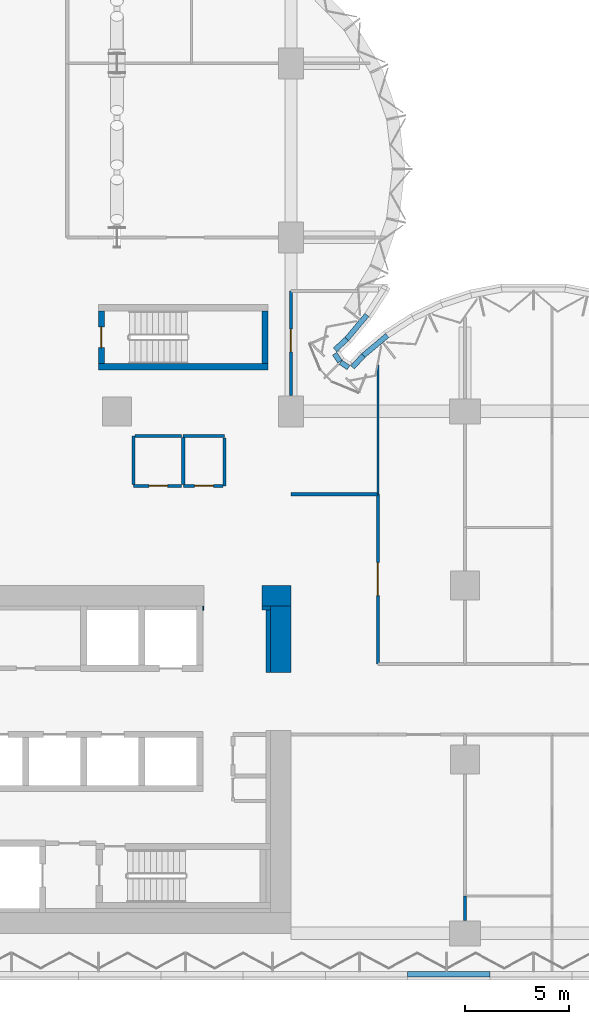
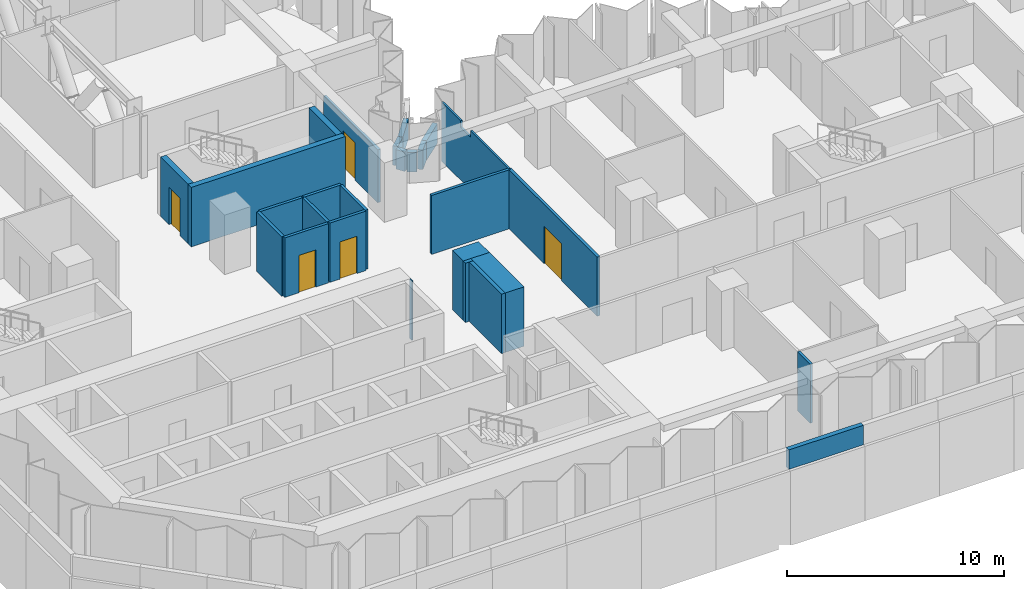
# One storey, part 11 of 24: 27 walls, 5 doors, 5 openings.
"""IFC4 building model written with IfcOpenShell, lengths in metres."""

import ifcopenshell
import ifcopenshell.guid

model = None  # the IFC model being written
_history = None  # IfcOwnerHistory: only IFC2X3 demands one
_inside = {}  # id of a spatial element -> (the spatial element, [elements in it])
_under = {}  # id of a project, library or spatial element -> (it, [spatial elements below it])
_declared = {}  # id of a project -> (the project, [libraries it declares])
_typed = {}  # id of a type object -> (the type object, [elements of that type])
_made_of = {}  # id of a material, layer set ... -> (it, [elements and type objects made of it])


def new_model(schema):
    """Start an empty IFC model of exactly this schema.

    Asked for "IFC4X3", IfcOpenShell would pick the latest addendum, in which some entities
    have other attributes; the version numbers below select the first issue.
    IFC2X3 requires an IfcOwnerHistory on every rooted entity: one is made here for all.
    """
    global model, _history
    if schema == "IFC4X3":
        model = ifcopenshell.file(schema_version=(4, 3, 0, 0))
    else:
        model = ifcopenshell.file(schema=schema)
    _inside.clear()
    _under.clear()
    _declared.clear()
    _typed.clear()
    _made_of.clear()
    _history = None
    if model.schema == "IFC2X3":
        org = make("IfcOrganization", Name="unknown")
        user = make(
            "IfcPersonAndOrganization",
            ThePerson=make("IfcPerson", FamilyName="unknown"),
            TheOrganization=org,
        )
        app = make(
            "IfcApplication",
            ApplicationDeveloper=org,
            Version="unknown",
            ApplicationFullName="unknown",
            ApplicationIdentifier="unknown",
        )
        _history = make(
            "IfcOwnerHistory",
            OwningUser=user,
            OwningApplication=app,
            ChangeAction="ADDED",
            CreationDate=0,
        )
    return model


def make(cls, **values):
    """One entity of the class cls with the attributes given. An attribute that is None is left unset."""
    return model.create_entity(
        cls, **{name: value for name, value in values.items() if value is not None}
    )


def rooted(cls, **values):
    """An entity with a GlobalId (a new one), such as an element, a storey or a relation."""
    return make(cls, GlobalId=ifcopenshell.guid.new(), OwnerHistory=_history, **values)


def si_unit(unit_type, name, prefix=None):
    """IfcSIUnit, for example si_unit("LENGTHUNIT", "METRE", prefix="MILLI")."""
    return make("IfcSIUnit", UnitType=unit_type, Prefix=prefix, Name=name)


def assignment(units):
    """IfcUnitAssignment: the units of a project."""
    return None if units is None else make("IfcUnitAssignment", Units=units)


def point(xyz):
    """IfcCartesianPoint."""
    return None if xyz is None else make("IfcCartesianPoint", Coordinates=xyz)


def direction(xyz):
    """IfcDirection."""
    return None if xyz is None else make("IfcDirection", DirectionRatios=xyz)


def frame(location, z_axis=None, x_axis=None):
    """IfcAxis2Placement3D, a coordinate frame: its origin and axes. An axis left out is left unset."""
    return make(
        "IfcAxis2Placement3D",
        Location=point(location),
        Axis=direction(z_axis),
        RefDirection=direction(x_axis),
    )


def frame_2d(location, x_axis=None):
    """IfcAxis2Placement2D, a coordinate frame in the plane: its origin and x axis."""
    return make(
        "IfcAxis2Placement2D", Location=point(location), RefDirection=direction(x_axis)
    )


def origin():
    """The frame at (0, 0, 0) with its axes left unset."""
    return frame((0.0, 0.0, 0.0))


def place(relative_to, where):
    """IfcLocalPlacement: puts the frame where relative to a parent placement (None: the world)."""
    return make(
        "IfcLocalPlacement", PlacementRelTo=relative_to, RelativePlacement=where
    )


def context(
    kind, dimensions, precision=None, world=None, true_north=None, identifier=None
):
    """IfcGeometricRepresentationContext, for example the 3D "Model" context."""
    return make(
        "IfcGeometricRepresentationContext",
        ContextIdentifier=identifier,
        ContextType=kind,
        CoordinateSpaceDimension=dimensions,
        Precision=precision,
        WorldCoordinateSystem=world,
        TrueNorth=true_north,
    )


def subcontext(parent, identifier, kind, view, scale=None):
    """IfcGeometricRepresentationSubContext, for example "Body" below "Model"."""
    return make(
        "IfcGeometricRepresentationSubContext",
        ContextIdentifier=identifier,
        ContextType=kind,
        ParentContext=parent,
        TargetScale=scale,
        TargetView=view,
    )


def project(units=None, contexts=None):
    """IfcProject with its units and contexts."""
    return rooted(
        "IfcProject",
        Name="project",
        RepresentationContexts=contexts,
        UnitsInContext=assignment(units),
    )


def spatial(cls, under=None, at=None, **own):
    """A site, building, storey or space (cls), placed at a placement, below another one or the project."""
    s = rooted(cls, ObjectPlacement=at, **own)
    if under is not None:
        _under.setdefault(under.id(), (under, []))[1].append(s)
    return s


def polyline(points):
    """IfcPolyline through the points."""
    return make("IfcPolyline", Points=[point(p) for p in points])


def profile(cls, at=None, kind="AREA", **sizes):
    """A parametric profile (cls). Its sizes go by their IFC names, for example OverallWidth=200.0."""
    return make(cls, ProfileType=kind, Position=at, **sizes)


def rectangle(**sizes):
    """IfcRectangleProfileDef."""
    return profile("IfcRectangleProfileDef", **sizes)


def outline(outer, holes=None, kind="AREA"):
    """IfcArbitraryClosedProfileDef: a profile drawn as a closed curve; with holes, ...WithVoids."""
    if holes is None:
        return make("IfcArbitraryClosedProfileDef", ProfileType=kind, OuterCurve=outer)
    return make(
        "IfcArbitraryProfileDefWithVoids",
        ProfileType=kind,
        OuterCurve=outer,
        InnerCurves=holes,
    )


def extrude(swept, where, along, depth):
    """IfcExtrudedAreaSolid: the profile swept, set in the frame where, extruded along a direction by depth."""
    return make(
        "IfcExtrudedAreaSolid",
        SweptArea=swept,
        Position=where,
        ExtrudedDirection=direction(along),
        Depth=depth,
    )


def shape(context_of_items, identifier, shape_type, items):
    """IfcShapeRepresentation: the items that make up one representation, for example the "Body"."""
    return make(
        "IfcShapeRepresentation",
        ContextOfItems=context_of_items,
        RepresentationIdentifier=identifier,
        RepresentationType=shape_type,
        Items=items,
    )


def material(Name=None, Category=None):
    """IfcMaterial."""
    return make("IfcMaterial", Name=Name, Category=Category)


def layer(
    of_material, thickness, ventilated=None, Name=None, Category=None, Priority=None
):
    """IfcMaterialLayer: one layer of a wall or slab, of a material (None: an air gap)."""
    return make(
        "IfcMaterialLayer",
        Material=of_material,
        LayerThickness=thickness,
        IsVentilated=ventilated,
        Name=Name,
        Category=Category,
        Priority=Priority,
    )


def layer_set(layers, Name=None):
    """IfcMaterialLayerSet."""
    return make("IfcMaterialLayerSet", MaterialLayers=layers, LayerSetName=Name)


def made_of(thing, what):
    """Note that an element or type object is made of a material, layer set ...; save() writes the relation."""
    if what is not None:
        _made_of.setdefault(what.id(), (what, []))[1].append(thing)
    return thing


def type_object(cls, material=None, **own):
    """A type object (cls), such as IfcWallType, which elements share."""
    return made_of(rooted(cls, **own), material)


def element(
    cls,
    number,
    at=None,
    inside=None,
    cuts=None,
    type_object=None,
    material=None,
    context=None,
    identifier="Body",
    shape_type=None,
    held_by="IfcProductDefinitionShape",
    body=None,
    shapes=None,
    **own,
):
    """One element of the class cls, such as IfcWall. Its Tag is "e" and its number.

    at: its placement. inside: the storey or other place that contains it. cuts: it is an
    opening in that element (IfcRelVoidsElement). A single representation is given by context,
    identifier, shape_type and body (its items); several are given by shapes. held_by: the class
    of the entity that holds the representations. save() writes the other relations.
    """
    e = rooted(cls, Tag="e%d" % number, ObjectPlacement=at, **own)
    if body is not None:
        shapes = [shape(context, identifier, shape_type, body)]
    if shapes is not None:
        e.Representation = make(held_by, Representations=shapes)
    if inside is not None:
        _inside.setdefault(inside.id(), (inside, []))[1].append(e)
    if cuts is not None:
        rooted(
            "IfcRelVoidsElement", RelatingBuildingElement=cuts, RelatedOpeningElement=e
        )
    if type_object is not None:
        _typed.setdefault(type_object.id(), (type_object, []))[1].append(e)
    return made_of(e, material)


def fill(opening, filler):
    """IfcRelFillsElement: the door or window that sits in an opening."""
    return rooted(
        "IfcRelFillsElement",
        RelatingOpeningElement=opening,
        RelatedBuildingElement=filler,
    )


def aggregate(whole, parts):
    """IfcRelAggregates: a whole, such as a stair, and the parts it consists of."""
    return rooted("IfcRelAggregates", RelatingObject=whole, RelatedObjects=parts)


def save(model, path):
    """Write the relations noted so far, then the file.

    IfcRelAggregates (storeys below a building ...), IfcRelContainedInSpatialStructure (elements
    in a storey), IfcRelDefinesByType, IfcRelAssociatesMaterial and IfcRelDeclares: one each for
    every whole, place, type object, material and project.
    """
    for whole, parts in _under.values():
        aggregate(whole, parts)
    for where, things in _inside.values():
        rooted(
            "IfcRelContainedInSpatialStructure",
            RelatedElements=things,
            RelatingStructure=where,
        )
    for kind, things in _typed.values():
        rooted("IfcRelDefinesByType", RelatedObjects=things, RelatingType=kind)
    for what, things in _made_of.values():
        rooted("IfcRelAssociatesMaterial", RelatedObjects=things, RelatingMaterial=what)
    for by, libraries in _declared.values():
        rooted("IfcRelDeclares", RelatingContext=by, RelatedDefinitions=libraries)
    model.write(path)


model = new_model("IFC4")

# Units and contexts
model_context = context("Model", 3, precision=1e-05, world=origin(), true_north=direction((0.0, 1.0)))
body_context = subcontext(model_context, "Body", "Model", "MODEL_VIEW")
ifc_project = project(units=[si_unit("LENGTHUNIT", "METRE"), si_unit("AREAUNIT", "SQUARE_METRE"), si_unit("VOLUMEUNIT", "CUBIC_METRE"), si_unit("PLANEANGLEUNIT", "RADIAN"), si_unit("MASSUNIT", "GRAM", prefix="KILO")], contexts=[model_context])

# Site, building, storey
site_placement = place(None, origin())
site = spatial("IfcSite", under=ifc_project, at=site_placement, CompositionType="ELEMENT")
building_placement = place(site_placement, origin())
building = spatial("IfcBuilding", under=site, at=building_placement, Name="Brevane Broadcast Tower", CompositionType="ELEMENT")
storey_placement = place(building_placement, frame((0.0, 0.0, 36.5)))
storey = spatial("IfcBuildingStorey", under=building, at=storey_placement, Name="L06", CompositionType="ELEMENT", Elevation=36.5)

# Walls
ifc_material_1 = material(Name="Concrete C50/60", Category="concrete")
ifc_layer_1 = layer(ifc_material_1, 0.25)
ifc_layer_set_1 = layer_set([ifc_layer_1], Name="CORNICE PARAPET 1100")
wall_type_1 = type_object("IfcWallType", Name="CORNICE PARAPET 1100", PredefinedType="PARAPET", material=ifc_layer_set_1)
wall_1_placement = place(storey_placement, frame((28.864013671875, 29.85009765625, 0.0), z_axis=(0.0, 0.0, 1.0), x_axis=(-0.642981897558, -0.765881374244, 0.0)))
element("IfcWall", 1, at=wall_1_placement, inside=storey, type_object=wall_type_1, Name="Cornice parapet", PredefinedType="PARAPET", context=body_context, shape_type="SweptSolid", body=[
    extrude(rectangle(XDim=1.525634765625, YDim=0.25, at=frame_2d((0.7626953125, 0.0))), origin(), (0.0, 0.0, 1.0), 1.10009765625),
])
wall_2_placement = place(storey_placement, frame((27.89404296875, 28.693115234375, 0.0), z_axis=(0.0, 0.0, 1.0), x_axis=(-0.734682907752, -0.678410661073, 0.0)))
element("IfcWall", 2, at=wall_2_placement, inside=storey, type_object=wall_type_1, Name="Cornice parapet", PredefinedType="PARAPET", context=body_context, shape_type="SweptSolid", body=[
    extrude(rectangle(XDim=0.776611328125, YDim=0.25, at=frame_2d((0.38818359375, 0.0))), origin(), (0.0, 0.0, 1.0), 1.10009765625),
])
for number, where, z_axis, x_axis, name in (
    (3, (27.30908203125, 27.980224609375, 0.0), (0.0, 0.0, 1.0), (0.555804360865, -0.831313125389, 0.0), "Cornice parapet"),
    (4, (27.5986328125, 27.564208984375, 0.0), (0.0, 0.0, 1.0), (0.831313125389, -0.555804360865, 0.0), "Cornice parapet"),
):
    element("IfcWall", number, at=place(storey_placement, frame(where, z_axis=z_axis, x_axis=x_axis)), inside=storey, type_object=wall_type_1, Name=name, PredefinedType="PARAPET", context=body_context, shape_type="SweptSolid", body=[
        extrude(rectangle(XDim=0.458984375, YDim=0.25, at=frame_2d((0.2294921875, 0.0))), origin(), (0.0, 0.0, 1.0), 1.10009765625),
    ])
wall_3_placement = place(storey_placement, frame((28.166259765625, 27.323486328125, 0.0), z_axis=(0.0, 0.0, 1.0), x_axis=(0.678410661073, 0.734682907752, 0.0)))
element("IfcWall", 5, at=wall_3_placement, inside=storey, type_object=wall_type_1, Name="Cornice parapet", PredefinedType="PARAPET", context=body_context, shape_type="SweptSolid", body=[
    extrude(rectangle(XDim=0.776611328125, YDim=0.25, at=frame_2d((0.38818359375, 0.0))), origin(), (0.0, 0.0, 1.0), 1.10009765625),
])
wall_4_placement = place(storey_placement, frame((28.681640625, 27.883056640625, 0.0), z_axis=(0.0, 0.0, 1.0), x_axis=(0.765881374244, 0.642981897558, 0.0)))
element("IfcWall", 6, at=wall_4_placement, inside=storey, type_object=wall_type_1, Name="Cornice parapet", PredefinedType="PARAPET", context=body_context, shape_type="SweptSolid", body=[
    extrude(rectangle(XDim=1.525634765625, YDim=0.25, at=frame_2d((0.7626953125, 0.0))), origin(), (0.0, 0.0, 1.0), 1.10009765625),
])
wall_5_placement = place(storey_placement, frame((34.800048828125, -1.97509765625, 0.0), z_axis=(0.0, 0.0, 1.0), x_axis=(-1.0, 0.0, 0.0)))
element("IfcWall", 7, at=wall_5_placement, inside=storey, type_object=wall_type_1, Name="Cornice parapet", PredefinedType="PARAPET", context=body_context, shape_type="SweptSolid", body=[
    extrude(rectangle(XDim=3.970947265625, YDim=0.25, at=frame_2d((1.9853515625, 0.0))), origin(), (0.0, 0.0, 1.0), 1.10009765625),
])
ifc_material_2 = material(Name="Concrete C32/40", Category="concrete")
ifc_layer_2 = layer(ifc_material_2, 0.199951171875)
ifc_layer_set_2 = layer_set([ifc_layer_2], Name="Core chase wall 200 mm")
wall_type_2 = type_object("IfcWallType", Name="Core chase wall 200 mm", PredefinedType="PARTITIONING", material=ifc_layer_set_2)
wall_6_placement = place(storey_placement, frame((24.10009765625, 12.60009765625, 0.0), z_axis=(0.0, 0.0, 1.0), x_axis=(0.0, 1.0, 0.0)))
element("IfcWall", 8, at=wall_6_placement, inside=storey, type_object=wall_type_2, Name="L06 chase wall LE2", PredefinedType="PARTITIONING", context=body_context, shape_type="SweptSolid", body=[
    extrude(rectangle(XDim=3.0, YDim=0.199951171875, at=frame_2d((1.5, 0.0))), origin(), (0.0, 0.0, 1.0), 3.35009765625),
])
wall_7_placement = place(storey_placement, frame((23.800048828125, 15.699951171875, 0.0), z_axis=(0.0, 0.0, 1.0), x_axis=(1.0, 0.0, 0.0)))
element("IfcWall", 9, at=wall_7_placement, inside=storey, type_object=wall_type_2, Name="L06 chase wall LN2", PredefinedType="PARTITIONING", context=body_context, shape_type="SweptSolid", body=[
    extrude(rectangle(XDim=0.39990234375, YDim=0.199951171875, at=frame_2d((0.199951171875, 0.0))), origin(), (0.0, 0.0, 1.0), 3.35009765625),
])
wall_8_placement = place(storey_placement, frame((20.949951171875, 15.699951171875, 0.0), z_axis=(0.0, 0.0, 1.0), x_axis=(1.0, 0.0, 0.0)))
element("IfcWall", 10, at=wall_8_placement, inside=storey, type_object=wall_type_2, Name="L06 chase wall LN1-2-2-2-2", PredefinedType="PARTITIONING", context=body_context, shape_type="SweptSolid", body=[
    extrude(rectangle(XDim=0.050048828125, YDim=0.199951171875, at=frame_2d((0.02490234375, 0.0))), origin(), (0.0, 0.0, 1.0), 3.35009765625),
])
ifc_material_3 = material(Name="Gypsum board on steel studs", Category="steel")
ifc_layer_3 = layer(ifc_material_3, 0.14990234375)
ifc_layer_set_3 = layer_set([ifc_layer_3], Name="Core fire partition 150 mm")
wall_type_3 = type_object("IfcWallType", Name="Core fire partition 150 mm", PredefinedType="PARTITIONING", material=ifc_layer_set_3)
wall_9_placement = place(storey_placement, frame((20.0, 24.0, 0.0), z_axis=(0.0, 0.0, 1.0), x_axis=(1.0, 0.0, 0.0)))
element("IfcWall", 11, at=wall_9_placement, inside=storey, type_object=wall_type_3, Name="L06 partition wall P15", PredefinedType="PARTITIONING", context=body_context, shape_type="SweptSolid", body=[
    extrude(rectangle(XDim=2.0, YDim=0.14990234375, at=frame_2d((1.0, 0.0))), origin(), (0.0, 0.0, 1.0), 3.35009765625),
])
wall_10_placement = place(storey_placement, frame((22.0, 23.925048828125, 0.0), z_axis=(0.0, 0.0, 1.0), x_axis=(0.0, -1.0, 0.0)))
element("IfcWall", 12, at=wall_10_placement, inside=storey, type_object=wall_type_3, Name="L06 partition wall P16", PredefinedType="PARTITIONING", context=body_context, shape_type="SweptSolid", body=[
    extrude(rectangle(XDim=2.324951171875, YDim=0.14990234375, at=frame_2d((1.16259765625, 0.0))), origin(), (0.0, 0.0, 1.0), 3.35009765625),
])

# Wall, opening, door
wall_11_placement = place(storey_placement, frame((21.925048828125, 21.60009765625, 0.0), z_axis=(0.0, 0.0, 1.0), x_axis=(-1.0, 0.0, 0.0)))
wall_11 = element("IfcWall", 13, at=wall_11_placement, inside=storey, type_object=wall_type_3, Name="L06 partition wall P17", PredefinedType="PARTITIONING", context=body_context, shape_type="SweptSolid", body=[
    extrude(rectangle(XDim=1.925048828125, YDim=0.14990234375, at=frame_2d((0.96240234375, 0.0))), origin(), (0.0, 0.0, 1.0), 3.35009765625),
])
opening_1_placement = place(wall_11_placement, frame((0.47509765625, 0.0, 0.0)))
opening_1 = element("IfcOpeningElement", 14, at=opening_1_placement, cuts=wall_11, Name="Opening L06-K24", PredefinedType="OPENING", context=body_context, shape_type="SweptSolid", body=[
    extrude(rectangle(XDim=0.89990234375, YDim=2.10009765625, at=frame_2d((0.449951171875, 1.050048828125))), frame((0.0, 0.0849609375, 0.0), z_axis=(0.0, -1.0, 0.0), x_axis=(1.0, 0.0, 0.0)), (0.0, 0.0, 1.0), 0.169921875),
])
ifc_material_4 = material(Name="Timber", Category="wood")
door_type_1 = type_object("IfcDoorType", Name="Toilet door 900 x 2100", OperationType="SINGLE_SWING_LEFT", PredefinedType="DOOR", material=ifc_material_4)
door_1_placement = place(opening_1_placement, origin())
door_1 = element("IfcDoor", 15, at=door_1_placement, inside=storey, type_object=door_type_1, Name="Door L06-K24", OperationType="SINGLE_SWING_RIGHT", OverallHeight=2.10009765625, OverallWidth=0.89990234375, PredefinedType="DOOR", context=body_context, shape_type="SweptSolid", body=[
    extrude(rectangle(XDim=0.89990234375, YDim=2.10009765625, at=frame_2d((0.449951171875, 1.050048828125))), frame((0.0, 0.02490234375, 0.0), z_axis=(0.0, -1.0, 0.0), x_axis=(1.0, 0.0, 0.0)), (0.0, 0.0, 1.0), 0.050048828125),
])
fill(opening_1, door_1)

# Wall
wall_12_placement = place(storey_placement, frame((20.0, 21.675048828125, 0.0), z_axis=(0.0, 0.0, 1.0), x_axis=(0.0, 1.0, 0.0)))
element("IfcWall", 16, at=wall_12_placement, inside=storey, type_object=wall_type_3, Name="L06 partition wall P18", PredefinedType="PARTITIONING", context=body_context, shape_type="SweptSolid", body=[
    extrude(rectangle(XDim=2.25, YDim=0.14990234375, at=frame_2d((1.125, 0.0))), origin(), (0.0, 0.0, 1.0), 3.35009765625),
])

# Wall, opening, door
wall_13_placement = place(storey_placement, frame((19.925048828125, 21.60009765625, 0.0), z_axis=(0.0, 0.0, 1.0), x_axis=(-1.0, 0.0, 0.0)))
wall_13 = element("IfcWall", 17, at=wall_13_placement, inside=storey, type_object=wall_type_3, Name="L06 partition wall P19", PredefinedType="PARTITIONING", context=body_context, shape_type="SweptSolid", body=[
    extrude(rectangle(XDim=2.324951171875, YDim=0.14990234375, at=frame_2d((1.16259765625, 0.0))), origin(), (0.0, 0.0, 1.0), 3.35009765625),
])
opening_2_placement = place(wall_13_placement, frame((0.675048828125, 0.0, 0.0)))
opening_2 = element("IfcOpeningElement", 18, at=opening_2_placement, cuts=wall_13, Name="Opening L06-K25", PredefinedType="OPENING", context=body_context, shape_type="SweptSolid", body=[
    extrude(rectangle(XDim=0.89990234375, YDim=2.10009765625, at=frame_2d((0.449951171875, 1.050048828125))), frame((0.0, 0.0849609375, 0.0), z_axis=(0.0, -1.0, 0.0), x_axis=(1.0, 0.0, 0.0)), (0.0, 0.0, 1.0), 0.169921875),
])
ifc_material_5 = material(Name="Steel", Category="steel")
door_type_2 = type_object("IfcDoorType", Name="Service room door 900 x 2100", OperationType="SINGLE_SWING_LEFT", PredefinedType="DOOR", material=ifc_material_5)
door_2_placement = place(opening_2_placement, origin())
door_2 = element("IfcDoor", 19, at=door_2_placement, inside=storey, type_object=door_type_2, Name="Door L06-K25", OperationType="SINGLE_SWING_LEFT", OverallHeight=2.10009765625, OverallWidth=0.89990234375, PredefinedType="DOOR", context=body_context, shape_type="SweptSolid", body=[
    extrude(rectangle(XDim=0.89990234375, YDim=2.10009765625, at=frame_2d((0.449951171875, 1.050048828125))), frame((0.0, 0.02490234375, 0.0), z_axis=(0.0, -1.0, 0.0), x_axis=(1.0, 0.0, 0.0)), (0.0, 0.0, 1.0), 0.050048828125),
])
fill(opening_2, door_2)

# Walls
wall_14_placement = place(storey_placement, frame((17.60009765625, 21.675048828125, 0.0), z_axis=(0.0, 0.0, 1.0), x_axis=(0.0, 1.0, 0.0)))
element("IfcWall", 20, at=wall_14_placement, inside=storey, type_object=wall_type_3, Name="L06 partition wall P20", PredefinedType="PARTITIONING", context=body_context, shape_type="SweptSolid", body=[
    extrude(rectangle(XDim=2.324951171875, YDim=0.14990234375, at=frame_2d((1.16259765625, 0.0))), origin(), (0.0, 0.0, 1.0), 3.35009765625),
])
wall_15_placement = place(storey_placement, frame((17.675048828125, 24.0, 0.0), z_axis=(0.0, 0.0, 1.0), x_axis=(1.0, 0.0, 0.0)))
element("IfcWall", 21, at=wall_15_placement, inside=storey, type_object=wall_type_3, Name="L06 partition wall P21", PredefinedType="PARTITIONING", context=body_context, shape_type="SweptSolid", body=[
    extrude(rectangle(XDim=2.25, YDim=0.14990234375, at=frame_2d((1.125, 0.0))), origin(), (0.0, 0.0, 1.0), 3.35009765625),
])
ifc_material_6 = material(Name="Concrete C80/95", Category="concrete")
ifc_layer_4 = layer(ifc_material_6, 1.0)
ifc_layer_set_4 = layer_set([ifc_layer_4], Name="Core wall 1000 mm C80/95")
wall_type_4 = type_object("IfcWallType", Name="Core wall 1000 mm C80/95", PredefinedType="SHEAR", material=ifc_layer_set_4)
wall_16_placement = place(storey_placement, frame((23.800048828125, 16.300048828125, 0.0), z_axis=(0.0, 0.0, 1.0), x_axis=(1.0, 0.0, 0.0)))
element("IfcWall", 22, at=wall_16_placement, inside=storey, type_object=wall_type_4, Name="L06 outer wall WN2", PredefinedType="SHEAR", context=body_context, shape_type="SweptSolid", body=[
    extrude(rectangle(XDim=1.39990234375, YDim=1.0, at=frame_2d((0.699951171875, 0.0))), origin(), (0.0, 0.0, 1.0), 3.35009765625),
])
wall_17_placement = place(storey_placement, frame((24.699951171875, 12.60009765625, 0.0), z_axis=(0.0, 0.0, 1.0), x_axis=(0.0, 1.0, 0.0)))
element("IfcWall", 23, at=wall_17_placement, inside=storey, type_object=wall_type_4, Name="L06 outer wall WE2", PredefinedType="SHEAR", context=body_context, shape_type="SweptSolid", body=[
    extrude(rectangle(XDim=3.199951171875, YDim=1.0, at=frame_2d((1.60009765625, 0.0))), origin(), (0.0, 0.0, 1.0), 3.35009765625),
])
ifc_layer_5 = layer(ifc_material_6, 0.300048828125)
ifc_layer_set_5 = layer_set([ifc_layer_5], Name="Core wall 300 mm C80/95")
wall_type_5 = type_object("IfcWallType", Name="Core wall 300 mm C80/95", PredefinedType="SHEAR", material=ifc_layer_set_5)
wall_18_placement = place(storey_placement, frame((15.89990234375, 27.35009765625, 0.0), z_axis=(0.0, 0.0, 1.0), x_axis=(1.0, 0.0, 0.0)))
element("IfcWall", 24, at=wall_18_placement, inside=storey, type_object=wall_type_5, Name="L06 stair wall ST-3-S", PredefinedType="SHEAR", context=body_context, shape_type="SweptSolid", body=[
    extrude(rectangle(XDim=8.2001953125, YDim=0.300048828125, at=frame_2d((4.10009765625, 0.0))), origin(), (0.0, 0.0, 1.0), 3.35009765625),
])

# Wall, opening, door
wall_19_placement = place(storey_placement, frame((16.050048828125, 27.5, 0.0), z_axis=(0.0, 0.0, 1.0), x_axis=(0.0, 1.0, 0.0)))
wall_19 = element("IfcWall", 25, at=wall_19_placement, inside=storey, type_object=wall_type_5, Name="L06 stair wall ST-3-W", PredefinedType="SHEAR", context=body_context, shape_type="SweptSolid", body=[
    extrude(rectangle(XDim=2.550048828125, YDim=0.300048828125, at=frame_2d((1.27490234375, 0.0))), origin(), (0.0, 0.0, 1.0), 3.35009765625),
])
opening_3_placement = place(wall_19_placement, frame((0.77490234375, 0.0, 0.0)))
opening_3 = element("IfcOpeningElement", 26, at=opening_3_placement, cuts=wall_19, Name="Opening L06-K14", PredefinedType="OPENING", context=body_context, shape_type="SweptSolid", body=[
    extrude(rectangle(XDim=1.0, YDim=2.10009765625, at=frame_2d((0.5, 1.050048828125))), frame((0.0, 0.159912109375, 0.0), z_axis=(0.0, -1.0, 0.0), x_axis=(1.0, 0.0, 0.0)), (0.0, 0.0, 1.0), 0.320068359375),
])
door_type_3 = type_object("IfcDoorType", Name="Stair door 1000 x 2100", OperationType="SINGLE_SWING_LEFT", PredefinedType="DOOR", material=ifc_material_5)
door_3_placement = place(opening_3_placement, origin())
door_3 = element("IfcDoor", 27, at=door_3_placement, inside=storey, type_object=door_type_3, Name="Door L06-K14", OperationType="SINGLE_SWING_RIGHT", OverallHeight=2.10009765625, OverallWidth=1.0, PredefinedType="DOOR", context=body_context, shape_type="SweptSolid", body=[
    extrude(rectangle(XDim=1.0, YDim=2.10009765625, at=frame_2d((0.5, 1.050048828125))), frame((0.0, 0.02490234375, 0.0), z_axis=(0.0, -1.0, 0.0), x_axis=(1.0, 0.0, 0.0)), (0.0, 0.0, 1.0), 0.050048828125),
])
fill(opening_3, door_3)

# Walls
wall_20_placement = place(storey_placement, frame((23.949951171875, 27.5, 0.0), z_axis=(0.0, 0.0, 1.0), x_axis=(0.0, 1.0, 0.0)))
element("IfcWall", 28, at=wall_20_placement, inside=storey, type_object=wall_type_5, Name="L06 stair wall ST-3-E", PredefinedType="SHEAR", context=body_context, shape_type="SweptSolid", body=[
    extrude(rectangle(XDim=2.550048828125, YDim=0.300048828125, at=frame_2d((1.27490234375, 0.0))), origin(), (0.0, 0.0, 1.0), 3.35009765625),
])
ifc_material_7 = material(Name="Gypsum board partition")
ifc_layer_6 = layer(ifc_material_7, 0.10009765625)
ifc_layer_set_6 = layer_set([ifc_layer_6], Name="PARTITION 100 STUD")
wall_type_6 = type_object("IfcWallType", Name="PARTITION 100 STUD", PredefinedType="PARTITIONING", material=ifc_layer_set_6)
wall_21_placement = place(storey_placement, frame((29.39990234375, 27.428955078125, 0.0), z_axis=(0.0, 0.0, 1.0), x_axis=(0.0, -1.0, 0.0)))
element("IfcWall", 29, at=wall_21_placement, inside=storey, type_object=wall_type_6, Name="Partition G01-004", PredefinedType="PARTITIONING", context=body_context, shape_type="SweptSolid", body=[
    extrude(outline(polyline([(0.0, 0.0), (6.22900390625, 0.0), (6.22900390625, 3.330078125), (2.678955078125, 3.330078125), (2.677001953125, 2.97998046875), (1.781005859375, 2.97998046875), (1.779052734375, 3.330078125), (0.154052734375, 3.330078125), (0.0, 3.330078125), (0.0, 0.0)])), frame((0.0, 0.050048828125, 0.0), z_axis=(0.0, -1.0, 0.0), x_axis=(1.0, 0.0, 0.0)), (0.0, 0.0, 1.0), 0.10009765625),
])
ifc_layer_7 = layer(ifc_material_7, 0.125)
ifc_layer_set_7 = layer_set([ifc_layer_7], Name="PARTITION 125 ACOUSTIC")
wall_type_7 = type_object("IfcWallType", Name="PARTITION 125 ACOUSTIC", PredefinedType="PARTITIONING", material=ifc_layer_set_7)
wall_22_placement = place(storey_placement, frame((33.60009765625, 1.800048828125, 0.0), z_axis=(0.0, 0.0, 1.0), x_axis=(0.0, -1.0, 0.0)))
element("IfcWall", 30, at=wall_22_placement, inside=storey, type_object=wall_type_7, Name="Partition G01-022", PredefinedType="PARTITIONING", context=body_context, shape_type="SweptSolid", body=[
    extrude(rectangle(XDim=1.179931640625, YDim=0.125, at=frame_2d((0.58984375, 0.0))), origin(), (0.0, 0.0, 1.0), 3.330078125),
])
ifc_layer_8 = layer(ifc_material_7, 0.14990234375)
ifc_layer_set_8 = layer_set([ifc_layer_8], Name="PARTITION 150 EI 60")
wall_type_8 = type_object("IfcWallType", Name="PARTITION 150 EI 60", PredefinedType="PARTITIONING", material=ifc_layer_set_8)
wall_23_placement = place(storey_placement, frame((25.199951171875, 21.199951171875, 0.0), z_axis=(0.0, 0.0, 1.0), x_axis=(1.0, 0.0, 0.0)))
element("IfcWall", 31, at=wall_23_placement, inside=storey, type_object=wall_type_8, Name="Partition G01-001", PredefinedType="PARTITIONING", context=body_context, shape_type="SweptSolid", body=[
    extrude(rectangle(XDim=4.199951171875, YDim=0.14990234375, at=frame_2d((2.10009765625, 0.0))), origin(), (0.0, 0.0, 1.0), 3.330078125),
])

# Wall, opening, door
wall_24_placement = place(storey_placement, frame((29.39990234375, 21.199951171875, 0.0), z_axis=(0.0, 0.0, 1.0), x_axis=(0.0, -1.0, 0.0)))
wall_24 = element("IfcWall", 32, at=wall_24_placement, inside=storey, type_object=wall_type_8, Name="Partition G01-003", PredefinedType="PARTITIONING", context=body_context, shape_type="SweptSolid", body=[
    extrude(rectangle(XDim=8.199951171875, YDim=0.14990234375, at=frame_2d((4.10009765625, 0.0))), origin(), (0.0, 0.0, 1.0), 3.330078125),
])
opening_4_placement = place(wall_24_placement, frame((3.300048828125, 0.0, 0.0)))
opening_4 = element("IfcOpeningElement", 33, at=opening_4_placement, cuts=wall_24, Name="Opening D07-011", PredefinedType="OPENING", context=body_context, shape_type="SweptSolid", body=[
    extrude(rectangle(XDim=1.60009765625, YDim=2.10009765625, at=frame_2d((0.800048828125, 1.050048828125))), frame((0.0, 0.0849609375, 0.0), z_axis=(0.0, -1.0, 0.0), x_axis=(1.0, 0.0, 0.0)), (0.0, 0.0, 1.0), 0.169921875),
])
ifc_material_8 = material(Name="Fire-rated timber door leaf", Category="wood")
door_type_4 = type_object("IfcDoorType", Name="DOOR DOUBLE 1600 FD30S", OperationType="DOUBLE_DOOR_SINGLE_SWING", PredefinedType="DOOR", material=ifc_material_8)
door_4_placement = place(opening_4_placement, origin())
door_4 = element("IfcDoor", 34, at=door_4_placement, inside=storey, type_object=door_type_4, Name="Door D07-011", OperationType="DOUBLE_DOOR_SINGLE_SWING", OverallHeight=2.10009765625, OverallWidth=1.60009765625, PredefinedType="DOOR", context=body_context, shape_type="SweptSolid", body=[
    extrude(rectangle(XDim=1.60009765625, YDim=2.10009765625, at=frame_2d((0.800048828125, 1.050048828125))), frame((0.0, 0.02490234375, 0.0), z_axis=(0.0, -1.0, 0.0), x_axis=(1.0, 0.0, 0.0)), (0.0, 0.0, 1.0), 0.050048828125),
])
fill(opening_4, door_4)

wall_25_placement = place(storey_placement, frame((25.199951171875, 31.0, 0.0), z_axis=(0.0, 0.0, 1.0), x_axis=(0.0, -1.0, 0.0)))
wall_25 = element("IfcWall", 35, at=wall_25_placement, inside=storey, type_object=wall_type_8, Name="Partition G01-005", PredefinedType="PARTITIONING", context=body_context, shape_type="SweptSolid", body=[
    extrude(outline(polyline([(0.0, 0.0), (5.030029296875, 0.0), (5.030029296875, 2.97998046875), (0.0, 2.97998046875), (0.0, 0.0)])), frame((0.0, 0.074951171875, 0.0), z_axis=(0.0, -1.0, 0.0), x_axis=(1.0, 0.0, 0.0)), (0.0, 0.0, 1.0), 0.14990234375),
])
opening_5_placement = place(wall_25_placement, frame((1.830078125, 0.0, 0.0)))
opening_5 = element("IfcOpeningElement", 36, at=opening_5_placement, cuts=wall_25, Name="Opening D07-001", PredefinedType="OPENING", context=body_context, shape_type="SweptSolid", body=[
    extrude(rectangle(XDim=1.10009765625, YDim=2.10009765625, at=frame_2d((0.550048828125, 1.050048828125))), frame((0.0, 0.0849609375, 0.0), z_axis=(0.0, -1.0, 0.0), x_axis=(1.0, 0.0, 0.0)), (0.0, 0.0, 1.0), 0.169921875),
])
door_type_5 = type_object("IfcDoorType", Name="DOOR SINGLE 1100 FD30S", OperationType="SINGLE_SWING_LEFT", PredefinedType="DOOR", material=ifc_material_8)
door_5_placement = place(opening_5_placement, origin())
door_5 = element("IfcDoor", 37, at=door_5_placement, inside=storey, type_object=door_type_5, Name="Door D07-001", OperationType="SINGLE_SWING_RIGHT", OverallHeight=2.10009765625, OverallWidth=1.10009765625, PredefinedType="DOOR", context=body_context, shape_type="SweptSolid", body=[
    extrude(rectangle(XDim=1.10009765625, YDim=2.10009765625, at=frame_2d((0.550048828125, 1.050048828125))), frame((0.0, 0.02490234375, 0.0), z_axis=(0.0, -1.0, 0.0), x_axis=(1.0, 0.0, 0.0)), (0.0, 0.0, 1.0), 0.050048828125),
])
fill(opening_5, door_5)

save(model, "model.ifc")
